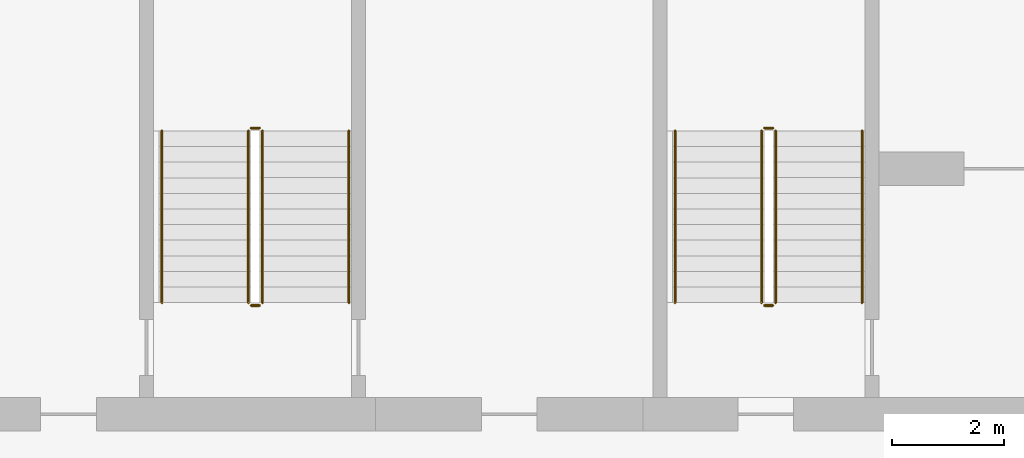
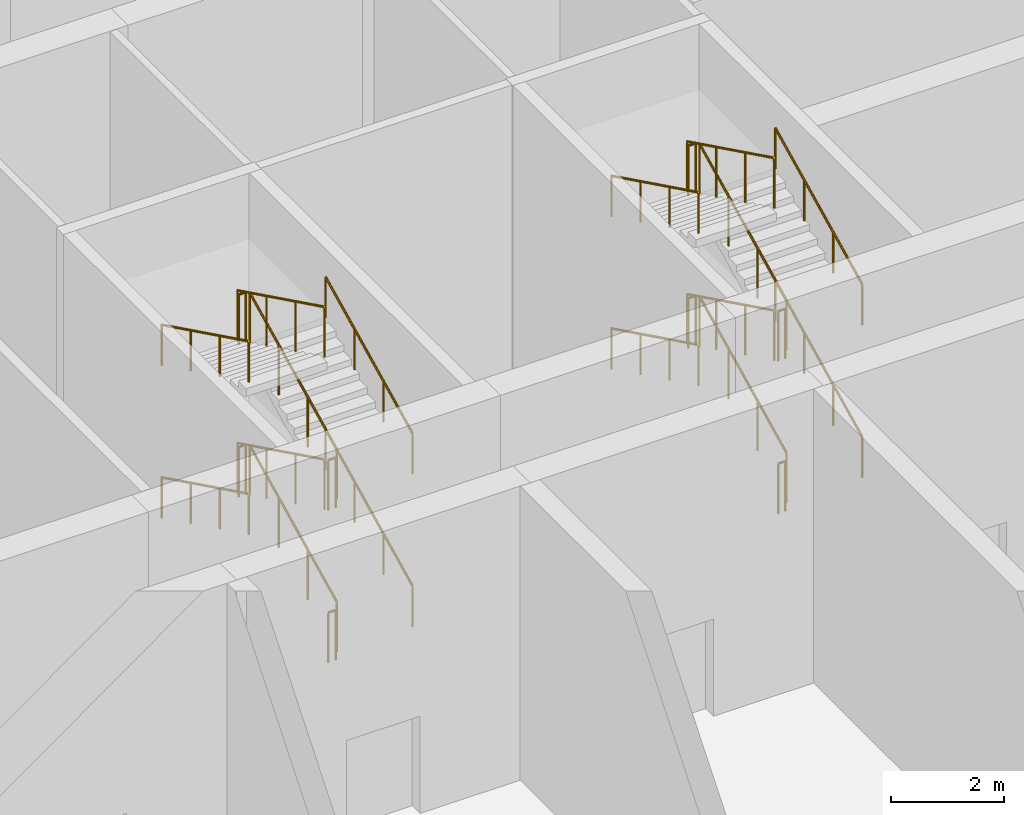
# One storey, part 14 of 15: 24 railings.
"""IFC4 building model written with IfcOpenShell, lengths in metres."""

from ifc_helpers import new_model, si_unit, direction, frame, origin, origin_2d, place, context, subcontext, project, spatial, circle, extrude, material, type_object, element, save


model = new_model("IFC4")

# Units and contexts
model_context = context("Model", 3, precision=1e-05, world=origin(), true_north=direction((0.0, 1.0)))
body_context = subcontext(model_context, "Body", "Model", "MODEL_VIEW")
ifc_project = project(units=[si_unit("LENGTHUNIT", "METRE"), si_unit("AREAUNIT", "SQUARE_METRE"), si_unit("VOLUMEUNIT", "CUBIC_METRE"), si_unit("PLANEANGLEUNIT", "RADIAN"), si_unit("MASSUNIT", "GRAM", prefix="KILO")], contexts=[model_context])

# Site, building, storey
site_placement = place(None, origin())
site = spatial("IfcSite", under=ifc_project, at=site_placement, CompositionType="ELEMENT")
building_placement = place(site_placement, origin())
building = spatial("IfcBuilding", under=site, at=building_placement, Name="Poui Terraces", CompositionType="ELEMENT")
storey_placement = place(building_placement, frame((0.0, 0.0, 66.300048828125)))
storey = spatial("IfcBuildingStorey", under=building, at=storey_placement, Name="L18", CompositionType="ELEMENT", Elevation=66.300048828125)

# Railings
ifc_material_1 = material(Name="Galvanised steel balustrade", Category="steel")
railing_type_1 = type_object("IfcRailingType", Name="STAIR GUARD 1100", PredefinedType="GUARDRAIL", material=ifc_material_1)
railing_1_placement = place(storey_placement, frame((32.074951171875, 16.60009765625, 0.137451171875)))
element("IfcRailing", 1, at=railing_1_placement, inside=storey, type_object=railing_type_1, Name="L18 ST-CW stair guard 1", PredefinedType="GUARDRAIL", context=body_context, shape_type="SweptSolid", body=[
    extrude(circle(Radius=0.02392578125, at=origin_2d()), frame((0.0, 0.0, 1.076171875), z_axis=(0.0, 0.897606190399, 0.440798283751), x_axis=(-1.0, 0.0, 0.0)), (0.0, 0.0, 1.0), 3.43115234375),
    extrude(circle(Radius=0.02099609375, at=origin_2d()), origin(), (0.0, 0.0, 1.0), 1.052001953125),
    extrude(circle(Radius=0.02099609375, at=origin_2d()), frame((0.0, 1.026611328125, 0.504150390625)), (0.0, 0.0, 1.0), 1.052001953125),
    extrude(circle(Radius=0.02099609375, at=origin_2d()), frame((0.0, 2.05322265625, 1.00830078125)), (0.0, 0.0, 1.0), 1.052001953125),
    extrude(circle(Radius=0.02099609375, at=origin_2d()), frame((0.0, 3.079833984375, 1.512451171875)), (0.0, 0.0, 1.0), 1.052001953125),
])
railing_2_placement = place(storey_placement, frame((32.02490234375, 19.72998046875, 1.64990234375)))
element("IfcRailing", 2, at=railing_2_placement, inside=storey, type_object=railing_type_1, Name="L18 ST-CW stair guard 2", PredefinedType="GUARDRAIL", context=body_context, shape_type="SweptSolid", body=[
    extrude(circle(Radius=0.02392578125, at=origin_2d()), frame((0.0, 0.0, 1.076171875), z_axis=(-1.0, 0.0, 0.0), x_axis=(0.0, -1.0, 0.0)), (0.0, 0.0, 1.0), 0.14990234375),
    extrude(circle(Radius=0.02099609375, at=origin_2d()), origin(), (0.0, 0.0, 1.0), 1.052001953125),
    extrude(circle(Radius=0.02099609375, at=origin_2d()), frame((-0.14990234375, 0.0, 0.0)), (0.0, 0.0, 1.0), 1.052001953125),
])
railing_3_placement = place(storey_placement, frame((31.824951171875, 19.679931640625, 1.787353515625)))
element("IfcRailing", 3, at=railing_3_placement, inside=storey, type_object=railing_type_1, Name="L18 ST-CW stair guard 3", PredefinedType="GUARDRAIL", context=body_context, shape_type="SweptSolid", body=[
    extrude(circle(Radius=0.02392578125, at=origin_2d()), frame((0.0, 0.0, 1.076171875), z_axis=(0.0, -0.897578036475, 0.440855609512), x_axis=(1.0, 0.0, 0.0)), (0.0, 0.0, 1.0), 3.43115234375),
    extrude(circle(Radius=0.02099609375, at=origin_2d()), origin(), (0.0, 0.0, 1.0), 1.052001953125),
    extrude(circle(Radius=0.02099609375, at=origin_2d()), frame((0.0, -1.026611328125, 0.504150390625)), (0.0, 0.0, 1.0), 1.052001953125),
    extrude(circle(Radius=0.02099609375, at=origin_2d()), frame((0.0, -2.05322265625, 1.008544921875)), (0.0, 0.0, 1.0), 1.052001953125),
    extrude(circle(Radius=0.02099609375, at=origin_2d()), frame((0.0, -3.079833984375, 1.5126953125)), (0.0, 0.0, 1.0), 1.052001953125),
])
railing_4_placement = place(storey_placement, frame((32.02490234375, 16.550048828125, 3.300048828125)))
element("IfcRailing", 4, at=railing_4_placement, inside=storey, type_object=railing_type_1, Name="L18 ST-CW stair guard 4", PredefinedType="GUARDRAIL", context=body_context, shape_type="SweptSolid", body=[
    extrude(circle(Radius=0.02392578125, at=origin_2d()), frame((0.0, 0.0, 1.076171875), z_axis=(-1.0, 0.0, 0.0), x_axis=(0.0, -1.0, 0.0)), (0.0, 0.0, 1.0), 0.14990234375),
    extrude(circle(Radius=0.02099609375, at=origin_2d()), origin(), (0.0, 0.0, 1.0), 1.052001953125),
    extrude(circle(Radius=0.02099609375, at=origin_2d()), frame((-0.14990234375, 0.0, 0.0)), (0.0, 0.0, 1.0), 1.052001953125),
])
railing_5_placement = place(storey_placement, frame((32.074951171875, 16.60009765625, 3.4375)))
element("IfcRailing", 5, at=railing_5_placement, inside=storey, type_object=railing_type_1, Name="L18 ST-CW stair guard 5", PredefinedType="GUARDRAIL", context=body_context, shape_type="SweptSolid", body=[
    extrude(circle(Radius=0.02392578125, at=origin_2d()), frame((0.0, 0.0, 1.076171875), z_axis=(0.0, 0.897606190399, 0.440798283751), x_axis=(-1.0, 0.0, 0.0)), (0.0, 0.0, 1.0), 3.43115234375),
    extrude(circle(Radius=0.02099609375, at=origin_2d()), origin(), (0.0, 0.0, 1.0), 1.052001953125),
    extrude(circle(Radius=0.02099609375, at=origin_2d()), frame((0.0, 1.026611328125, 0.504150390625)), (0.0, 0.0, 1.0), 1.052001953125),
    extrude(circle(Radius=0.02099609375, at=origin_2d()), frame((0.0, 2.05322265625, 1.00830078125)), (0.0, 0.0, 1.0), 1.052001953125),
    extrude(circle(Radius=0.02099609375, at=origin_2d()), frame((0.0, 3.079833984375, 1.512451171875)), (0.0, 0.0, 1.0), 1.052001953125),
])
railing_6_placement = place(storey_placement, frame((32.02490234375, 19.72998046875, 4.949951171875)))
element("IfcRailing", 6, at=railing_6_placement, inside=storey, type_object=railing_type_1, Name="L18 ST-CW stair guard 6", PredefinedType="GUARDRAIL", context=body_context, shape_type="SweptSolid", body=[
    extrude(circle(Radius=0.02392578125, at=origin_2d()), frame((0.0, 0.0, 1.076171875), z_axis=(-1.0, 0.0, 0.0), x_axis=(0.0, -1.0, 0.0)), (0.0, 0.0, 1.0), 0.14990234375),
    extrude(circle(Radius=0.02099609375, at=origin_2d()), origin(), (0.0, 0.0, 1.0), 1.052001953125),
    extrude(circle(Radius=0.02099609375, at=origin_2d()), frame((-0.14990234375, 0.0, 0.0)), (0.0, 0.0, 1.0), 1.052001953125),
])
railing_7_placement = place(storey_placement, frame((31.824951171875, 19.679931640625, 5.08740234375)))
element("IfcRailing", 7, at=railing_7_placement, inside=storey, type_object=railing_type_1, Name="L18 ST-CW stair guard 7", PredefinedType="GUARDRAIL", context=body_context, shape_type="SweptSolid", body=[
    extrude(circle(Radius=0.02392578125, at=origin_2d()), frame((0.0, 0.0, 1.076171875), z_axis=(0.0, -0.897606190399, 0.440798283751), x_axis=(1.0, 0.0, 0.0)), (0.0, 0.0, 1.0), 3.43115234375),
    extrude(circle(Radius=0.02099609375, at=origin_2d()), origin(), (0.0, 0.0, 1.0), 1.052001953125),
    extrude(circle(Radius=0.02099609375, at=origin_2d()), frame((0.0, -1.026611328125, 0.504150390625)), (0.0, 0.0, 1.0), 1.052001953125),
    extrude(circle(Radius=0.02099609375, at=origin_2d()), frame((0.0, -2.05322265625, 1.00830078125)), (0.0, 0.0, 1.0), 1.052001953125),
    extrude(circle(Radius=0.02099609375, at=origin_2d()), frame((0.0, -3.079833984375, 1.512451171875)), (0.0, 0.0, 1.0), 1.052001953125),
])
railing_8_placement = place(storey_placement, frame((32.02490234375, 16.550048828125, 0.0)))
element("IfcRailing", 8, at=railing_8_placement, inside=storey, type_object=railing_type_1, Name="L18 ST-CW stair guard 8", PredefinedType="GUARDRAIL", context=body_context, shape_type="SweptSolid", body=[
    extrude(circle(Radius=0.02392578125, at=origin_2d()), frame((0.0, 0.0, 1.076171875), z_axis=(-1.0, 0.0, 0.0), x_axis=(0.0, -1.0, 0.0)), (0.0, 0.0, 1.0), 0.14990234375),
    extrude(circle(Radius=0.02099609375, at=origin_2d()), origin(), (0.0, 0.0, 1.0), 1.052001953125),
    extrude(circle(Radius=0.02099609375, at=origin_2d()), frame((-0.14990234375, 0.0, 0.0)), (0.0, 0.0, 1.0), 1.052001953125),
])
railing_9_placement = place(storey_placement, frame((22.875, 16.60009765625, 0.137451171875)))
element("IfcRailing", 9, at=railing_9_placement, inside=storey, type_object=railing_type_1, Name="L18 ST-W stair guard 1", PredefinedType="GUARDRAIL", context=body_context, shape_type="SweptSolid", body=[
    extrude(circle(Radius=0.02392578125, at=origin_2d()), frame((0.0, 0.0, 1.076171875), z_axis=(0.0, 0.897606190399, 0.440798283751), x_axis=(-1.0, 0.0, 0.0)), (0.0, 0.0, 1.0), 3.43115234375),
    extrude(circle(Radius=0.02099609375, at=origin_2d()), origin(), (0.0, 0.0, 1.0), 1.052001953125),
    extrude(circle(Radius=0.02099609375, at=origin_2d()), frame((0.0, 1.026611328125, 0.504150390625)), (0.0, 0.0, 1.0), 1.052001953125),
    extrude(circle(Radius=0.02099609375, at=origin_2d()), frame((0.0, 2.05322265625, 1.00830078125)), (0.0, 0.0, 1.0), 1.052001953125),
    extrude(circle(Radius=0.02099609375, at=origin_2d()), frame((0.0, 3.079833984375, 1.512451171875)), (0.0, 0.0, 1.0), 1.052001953125),
])
railing_10_placement = place(storey_placement, frame((22.824951171875, 19.72998046875, 1.64990234375)))
element("IfcRailing", 10, at=railing_10_placement, inside=storey, type_object=railing_type_1, Name="L18 ST-W stair guard 2", PredefinedType="GUARDRAIL", context=body_context, shape_type="SweptSolid", body=[
    extrude(circle(Radius=0.02392578125, at=origin_2d()), frame((0.0, 0.0, 1.076171875), z_axis=(-1.0, 0.0, 0.0), x_axis=(0.0, -1.0, 0.0)), (0.0, 0.0, 1.0), 0.14990234375),
    extrude(circle(Radius=0.02099609375, at=origin_2d()), origin(), (0.0, 0.0, 1.0), 1.052001953125),
    extrude(circle(Radius=0.02099609375, at=origin_2d()), frame((-0.14990234375, 0.0, 0.0)), (0.0, 0.0, 1.0), 1.052001953125),
])
railing_11_placement = place(storey_placement, frame((22.625, 19.679931640625, 1.787353515625)))
element("IfcRailing", 11, at=railing_11_placement, inside=storey, type_object=railing_type_1, Name="L18 ST-W stair guard 3", PredefinedType="GUARDRAIL", context=body_context, shape_type="SweptSolid", body=[
    extrude(circle(Radius=0.02392578125, at=origin_2d()), frame((0.0, 0.0, 1.076171875), z_axis=(0.0, -0.897578036475, 0.440855609512), x_axis=(1.0, 0.0, 0.0)), (0.0, 0.0, 1.0), 3.43115234375),
    extrude(circle(Radius=0.02099609375, at=origin_2d()), origin(), (0.0, 0.0, 1.0), 1.052001953125),
    extrude(circle(Radius=0.02099609375, at=origin_2d()), frame((0.0, -1.026611328125, 0.504150390625)), (0.0, 0.0, 1.0), 1.052001953125),
    extrude(circle(Radius=0.02099609375, at=origin_2d()), frame((0.0, -2.05322265625, 1.008544921875)), (0.0, 0.0, 1.0), 1.052001953125),
    extrude(circle(Radius=0.02099609375, at=origin_2d()), frame((0.0, -3.079833984375, 1.5126953125)), (0.0, 0.0, 1.0), 1.052001953125),
])
railing_12_placement = place(storey_placement, frame((22.824951171875, 16.550048828125, 3.300048828125)))
element("IfcRailing", 12, at=railing_12_placement, inside=storey, type_object=railing_type_1, Name="L18 ST-W stair guard 4", PredefinedType="GUARDRAIL", context=body_context, shape_type="SweptSolid", body=[
    extrude(circle(Radius=0.02392578125, at=origin_2d()), frame((0.0, 0.0, 1.076171875), z_axis=(-1.0, 0.0, 0.0), x_axis=(0.0, -1.0, 0.0)), (0.0, 0.0, 1.0), 0.14990234375),
    extrude(circle(Radius=0.02099609375, at=origin_2d()), origin(), (0.0, 0.0, 1.0), 1.052001953125),
    extrude(circle(Radius=0.02099609375, at=origin_2d()), frame((-0.14990234375, 0.0, 0.0)), (0.0, 0.0, 1.0), 1.052001953125),
])
railing_13_placement = place(storey_placement, frame((22.875, 16.60009765625, 3.4375)))
element("IfcRailing", 13, at=railing_13_placement, inside=storey, type_object=railing_type_1, Name="L18 ST-W stair guard 5", PredefinedType="GUARDRAIL", context=body_context, shape_type="SweptSolid", body=[
    extrude(circle(Radius=0.02392578125, at=origin_2d()), frame((0.0, 0.0, 1.076171875), z_axis=(0.0, 0.897606190399, 0.440798283751), x_axis=(-1.0, 0.0, 0.0)), (0.0, 0.0, 1.0), 3.43115234375),
    extrude(circle(Radius=0.02099609375, at=origin_2d()), origin(), (0.0, 0.0, 1.0), 1.052001953125),
    extrude(circle(Radius=0.02099609375, at=origin_2d()), frame((0.0, 1.026611328125, 0.504150390625)), (0.0, 0.0, 1.0), 1.052001953125),
    extrude(circle(Radius=0.02099609375, at=origin_2d()), frame((0.0, 2.05322265625, 1.00830078125)), (0.0, 0.0, 1.0), 1.052001953125),
    extrude(circle(Radius=0.02099609375, at=origin_2d()), frame((0.0, 3.079833984375, 1.512451171875)), (0.0, 0.0, 1.0), 1.052001953125),
])
railing_14_placement = place(storey_placement, frame((22.824951171875, 19.72998046875, 4.949951171875)))
element("IfcRailing", 14, at=railing_14_placement, inside=storey, type_object=railing_type_1, Name="L18 ST-W stair guard 6", PredefinedType="GUARDRAIL", context=body_context, shape_type="SweptSolid", body=[
    extrude(circle(Radius=0.02392578125, at=origin_2d()), frame((0.0, 0.0, 1.076171875), z_axis=(-1.0, 0.0, 0.0), x_axis=(0.0, -1.0, 0.0)), (0.0, 0.0, 1.0), 0.14990234375),
    extrude(circle(Radius=0.02099609375, at=origin_2d()), origin(), (0.0, 0.0, 1.0), 1.052001953125),
    extrude(circle(Radius=0.02099609375, at=origin_2d()), frame((-0.14990234375, 0.0, 0.0)), (0.0, 0.0, 1.0), 1.052001953125),
])
railing_15_placement = place(storey_placement, frame((22.625, 19.679931640625, 5.08740234375)))
element("IfcRailing", 15, at=railing_15_placement, inside=storey, type_object=railing_type_1, Name="L18 ST-W stair guard 7", PredefinedType="GUARDRAIL", context=body_context, shape_type="SweptSolid", body=[
    extrude(circle(Radius=0.02392578125, at=origin_2d()), frame((0.0, 0.0, 1.076171875), z_axis=(0.0, -0.897606190399, 0.440798283751), x_axis=(1.0, 0.0, 0.0)), (0.0, 0.0, 1.0), 3.43115234375),
    extrude(circle(Radius=0.02099609375, at=origin_2d()), origin(), (0.0, 0.0, 1.0), 1.052001953125),
    extrude(circle(Radius=0.02099609375, at=origin_2d()), frame((0.0, -1.026611328125, 0.504150390625)), (0.0, 0.0, 1.0), 1.052001953125),
    extrude(circle(Radius=0.02099609375, at=origin_2d()), frame((0.0, -2.05322265625, 1.00830078125)), (0.0, 0.0, 1.0), 1.052001953125),
    extrude(circle(Radius=0.02099609375, at=origin_2d()), frame((0.0, -3.079833984375, 1.512451171875)), (0.0, 0.0, 1.0), 1.052001953125),
])
railing_16_placement = place(storey_placement, frame((22.824951171875, 16.550048828125, 0.0)))
element("IfcRailing", 16, at=railing_16_placement, inside=storey, type_object=railing_type_1, Name="L18 ST-W stair guard 8", PredefinedType="GUARDRAIL", context=body_context, shape_type="SweptSolid", body=[
    extrude(circle(Radius=0.02392578125, at=origin_2d()), frame((0.0, 0.0, 1.076171875), z_axis=(-1.0, 0.0, 0.0), x_axis=(0.0, -1.0, 0.0)), (0.0, 0.0, 1.0), 0.14990234375),
    extrude(circle(Radius=0.02099609375, at=origin_2d()), origin(), (0.0, 0.0, 1.0), 1.052001953125),
    extrude(circle(Radius=0.02099609375, at=origin_2d()), frame((-0.14990234375, 0.0, 0.0)), (0.0, 0.0, 1.0), 1.052001953125),
])
ifc_material_2 = material(Name="Stainless steel handrail", Category="steel")
railing_type_2 = type_object("IfcRailingType", Name="STAIR HANDRAIL 900", PredefinedType="HANDRAIL", material=ifc_material_2)
railing_17_placement = place(storey_placement, frame((33.625, 16.60009765625, 0.137451171875)))
element("IfcRailing", 17, at=railing_17_placement, inside=storey, type_object=railing_type_2, Name="L18 ST-CW stair handrail 1", PredefinedType="HANDRAIL", context=body_context, shape_type="SweptSolid", body=[
    extrude(circle(Radius=0.02392578125, at=origin_2d()), frame((0.0, 0.0, 0.8759765625), z_axis=(0.0, 0.897606190399, 0.440798283751), x_axis=(-1.0, 0.0, 0.0)), (0.0, 0.0, 1.0), 3.43115234375),
    extrude(circle(Radius=0.02099609375, at=origin_2d()), origin(), (0.0, 0.0, 1.0), 0.851806640625),
    extrude(circle(Radius=0.02099609375, at=origin_2d()), frame((0.0, 1.026611328125, 0.504150390625)), (0.0, 0.0, 1.0), 0.851806640625),
    extrude(circle(Radius=0.02099609375, at=origin_2d()), frame((0.0, 2.05322265625, 1.00830078125)), (0.0, 0.0, 1.0), 0.851806640625),
    extrude(circle(Radius=0.02099609375, at=origin_2d()), frame((0.0, 3.079833984375, 1.512451171875)), (0.0, 0.0, 1.0), 0.851806640625),
])
railing_18_placement = place(storey_placement, frame((30.27490234375, 19.679931640625, 1.787353515625)))
element("IfcRailing", 18, at=railing_18_placement, inside=storey, type_object=railing_type_2, Name="L18 ST-CW stair handrail 2", PredefinedType="HANDRAIL", context=body_context, shape_type="SweptSolid", body=[
    extrude(circle(Radius=0.02392578125, at=origin_2d()), frame((0.0, 0.0, 0.8759765625), z_axis=(0.0, -0.897578036475, 0.440855609512), x_axis=(1.0, 0.0, 0.0)), (0.0, 0.0, 1.0), 3.43115234375),
    extrude(circle(Radius=0.02099609375, at=origin_2d()), origin(), (0.0, 0.0, 1.0), 0.851806640625),
    extrude(circle(Radius=0.02099609375, at=origin_2d()), frame((0.0, -1.026611328125, 0.504150390625)), (0.0, 0.0, 1.0), 0.851806640625),
    extrude(circle(Radius=0.02099609375, at=origin_2d()), frame((0.0, -2.05322265625, 1.008544921875)), (0.0, 0.0, 1.0), 0.851806640625),
    extrude(circle(Radius=0.02099609375, at=origin_2d()), frame((0.0, -3.079833984375, 1.5126953125)), (0.0, 0.0, 1.0), 0.851806640625),
])
railing_19_placement = place(storey_placement, frame((33.625, 16.60009765625, 3.4375)))
element("IfcRailing", 19, at=railing_19_placement, inside=storey, type_object=railing_type_2, Name="L18 ST-CW stair handrail 3", PredefinedType="HANDRAIL", context=body_context, shape_type="SweptSolid", body=[
    extrude(circle(Radius=0.02392578125, at=origin_2d()), frame((0.0, 0.0, 0.8759765625), z_axis=(0.0, 0.897606190399, 0.440798283751), x_axis=(-1.0, 0.0, 0.0)), (0.0, 0.0, 1.0), 3.43115234375),
    extrude(circle(Radius=0.02099609375, at=origin_2d()), origin(), (0.0, 0.0, 1.0), 0.851806640625),
    extrude(circle(Radius=0.02099609375, at=origin_2d()), frame((0.0, 1.026611328125, 0.504150390625)), (0.0, 0.0, 1.0), 0.851806640625),
    extrude(circle(Radius=0.02099609375, at=origin_2d()), frame((0.0, 2.05322265625, 1.00830078125)), (0.0, 0.0, 1.0), 0.851806640625),
    extrude(circle(Radius=0.02099609375, at=origin_2d()), frame((0.0, 3.079833984375, 1.512451171875)), (0.0, 0.0, 1.0), 0.851806640625),
])
railing_20_placement = place(storey_placement, frame((30.27490234375, 19.679931640625, 5.08740234375)))
element("IfcRailing", 20, at=railing_20_placement, inside=storey, type_object=railing_type_2, Name="L18 ST-CW stair handrail 4", PredefinedType="HANDRAIL", context=body_context, shape_type="SweptSolid", body=[
    extrude(circle(Radius=0.02392578125, at=origin_2d()), frame((0.0, 0.0, 0.8759765625), z_axis=(0.0, -0.897606190399, 0.440798283751), x_axis=(1.0, 0.0, 0.0)), (0.0, 0.0, 1.0), 3.43115234375),
    extrude(circle(Radius=0.02099609375, at=origin_2d()), origin(), (0.0, 0.0, 1.0), 0.851806640625),
    extrude(circle(Radius=0.02099609375, at=origin_2d()), frame((0.0, -1.026611328125, 0.504150390625)), (0.0, 0.0, 1.0), 0.851806640625),
    extrude(circle(Radius=0.02099609375, at=origin_2d()), frame((0.0, -2.05322265625, 1.00830078125)), (0.0, 0.0, 1.0), 0.851806640625),
    extrude(circle(Radius=0.02099609375, at=origin_2d()), frame((0.0, -3.079833984375, 1.512451171875)), (0.0, 0.0, 1.0), 0.851806640625),
])
railing_21_placement = place(storey_placement, frame((24.425048828125, 16.60009765625, 0.137451171875)))
element("IfcRailing", 21, at=railing_21_placement, inside=storey, type_object=railing_type_2, Name="L18 ST-W stair handrail 1", PredefinedType="HANDRAIL", context=body_context, shape_type="SweptSolid", body=[
    extrude(circle(Radius=0.02392578125, at=origin_2d()), frame((0.0, 0.0, 0.8759765625), z_axis=(0.0, 0.897606190399, 0.440798283751), x_axis=(-1.0, 0.0, 0.0)), (0.0, 0.0, 1.0), 3.43115234375),
    extrude(circle(Radius=0.02099609375, at=origin_2d()), origin(), (0.0, 0.0, 1.0), 0.851806640625),
    extrude(circle(Radius=0.02099609375, at=origin_2d()), frame((0.0, 1.026611328125, 0.504150390625)), (0.0, 0.0, 1.0), 0.851806640625),
    extrude(circle(Radius=0.02099609375, at=origin_2d()), frame((0.0, 2.05322265625, 1.00830078125)), (0.0, 0.0, 1.0), 0.851806640625),
    extrude(circle(Radius=0.02099609375, at=origin_2d()), frame((0.0, 3.079833984375, 1.512451171875)), (0.0, 0.0, 1.0), 0.851806640625),
])
railing_22_placement = place(storey_placement, frame((21.074951171875, 19.679931640625, 1.787353515625)))
element("IfcRailing", 22, at=railing_22_placement, inside=storey, type_object=railing_type_2, Name="L18 ST-W stair handrail 2", PredefinedType="HANDRAIL", context=body_context, shape_type="SweptSolid", body=[
    extrude(circle(Radius=0.02392578125, at=origin_2d()), frame((0.0, 0.0, 0.8759765625), z_axis=(0.0, -0.897578036475, 0.440855609512), x_axis=(1.0, 0.0, 0.0)), (0.0, 0.0, 1.0), 3.43115234375),
    extrude(circle(Radius=0.02099609375, at=origin_2d()), origin(), (0.0, 0.0, 1.0), 0.851806640625),
    extrude(circle(Radius=0.02099609375, at=origin_2d()), frame((0.0, -1.026611328125, 0.504150390625)), (0.0, 0.0, 1.0), 0.851806640625),
    extrude(circle(Radius=0.02099609375, at=origin_2d()), frame((0.0, -2.05322265625, 1.008544921875)), (0.0, 0.0, 1.0), 0.851806640625),
    extrude(circle(Radius=0.02099609375, at=origin_2d()), frame((0.0, -3.079833984375, 1.5126953125)), (0.0, 0.0, 1.0), 0.851806640625),
])
railing_23_placement = place(storey_placement, frame((24.425048828125, 16.60009765625, 3.4375)))
element("IfcRailing", 23, at=railing_23_placement, inside=storey, type_object=railing_type_2, Name="L18 ST-W stair handrail 3", PredefinedType="HANDRAIL", context=body_context, shape_type="SweptSolid", body=[
    extrude(circle(Radius=0.02392578125, at=origin_2d()), frame((0.0, 0.0, 0.8759765625), z_axis=(0.0, 0.897606190399, 0.440798283751), x_axis=(-1.0, 0.0, 0.0)), (0.0, 0.0, 1.0), 3.43115234375),
    extrude(circle(Radius=0.02099609375, at=origin_2d()), origin(), (0.0, 0.0, 1.0), 0.851806640625),
    extrude(circle(Radius=0.02099609375, at=origin_2d()), frame((0.0, 1.026611328125, 0.504150390625)), (0.0, 0.0, 1.0), 0.851806640625),
    extrude(circle(Radius=0.02099609375, at=origin_2d()), frame((0.0, 2.05322265625, 1.00830078125)), (0.0, 0.0, 1.0), 0.851806640625),
    extrude(circle(Radius=0.02099609375, at=origin_2d()), frame((0.0, 3.079833984375, 1.512451171875)), (0.0, 0.0, 1.0), 0.851806640625),
])
railing_24_placement = place(storey_placement, frame((21.074951171875, 19.679931640625, 5.08740234375)))
element("IfcRailing", 24, at=railing_24_placement, inside=storey, type_object=railing_type_2, Name="L18 ST-W stair handrail 4", PredefinedType="HANDRAIL", context=body_context, shape_type="SweptSolid", body=[
    extrude(circle(Radius=0.02392578125, at=origin_2d()), frame((0.0, 0.0, 0.8759765625), z_axis=(0.0, -0.897606190399, 0.440798283751), x_axis=(1.0, 0.0, 0.0)), (0.0, 0.0, 1.0), 3.43115234375),
    extrude(circle(Radius=0.02099609375, at=origin_2d()), origin(), (0.0, 0.0, 1.0), 0.851806640625),
    extrude(circle(Radius=0.02099609375, at=origin_2d()), frame((0.0, -1.026611328125, 0.504150390625)), (0.0, 0.0, 1.0), 0.851806640625),
    extrude(circle(Radius=0.02099609375, at=origin_2d()), frame((0.0, -2.05322265625, 1.00830078125)), (0.0, 0.0, 1.0), 0.851806640625),
    extrude(circle(Radius=0.02099609375, at=origin_2d()), frame((0.0, -3.079833984375, 1.512451171875)), (0.0, 0.0, 1.0), 0.851806640625),
])

save(model, "model.ifc")
